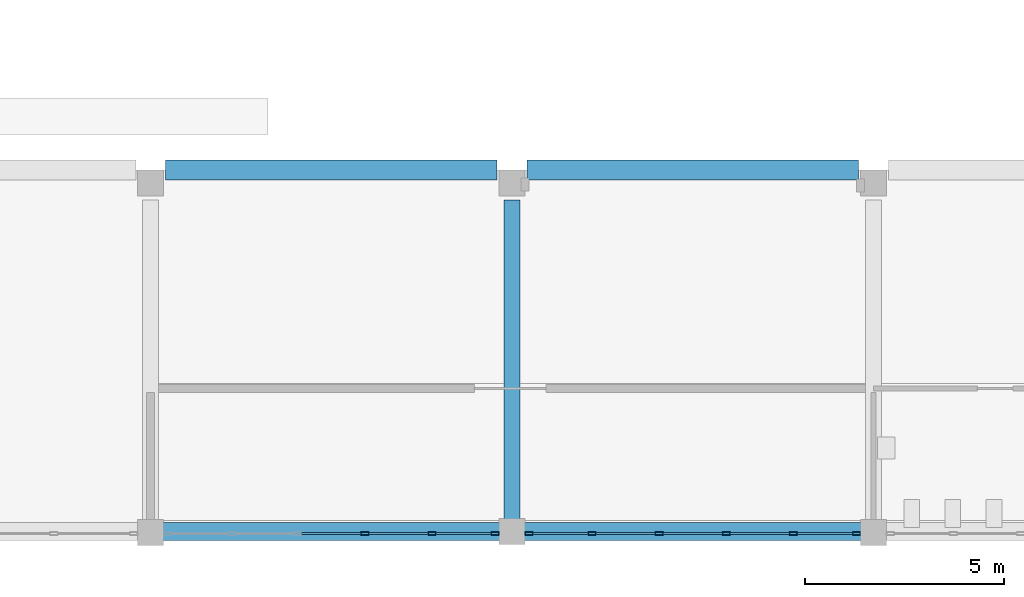
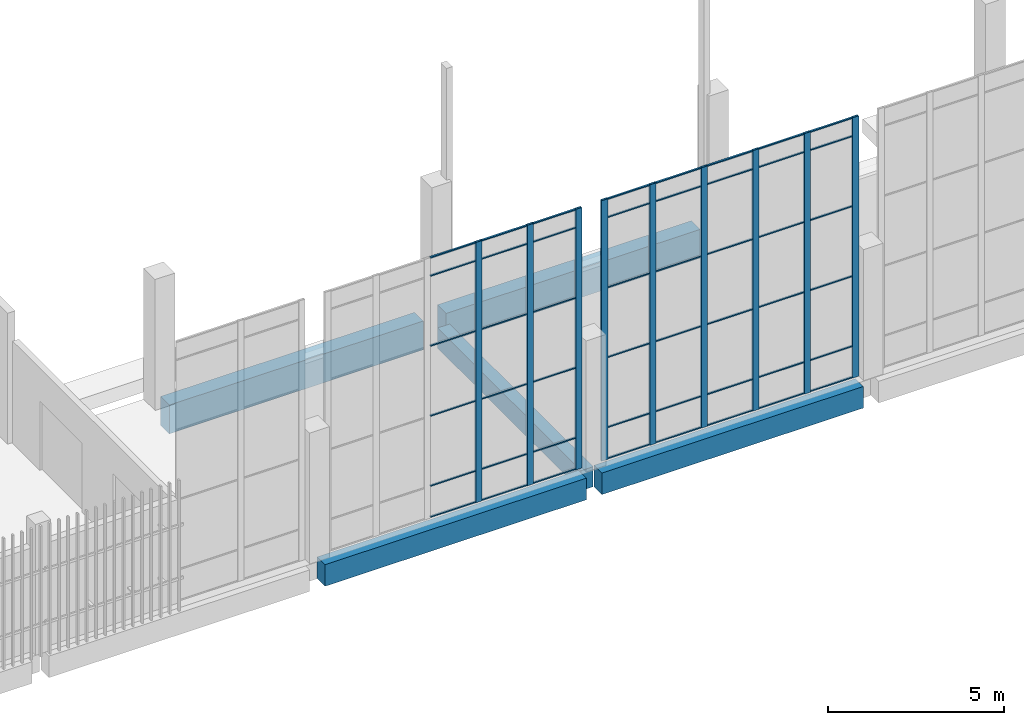
# One storey, part 5 of 91: 57 members, 5 beams, 2 elements without a shape of their own.
"""IFC4 building model written with IfcOpenShell, lengths in metres."""

from ifc_helpers import new_model, si_unit, direction, frame, origin, origin_2d, place, context, subcontext, project, spatial, rectangle, hollow_rectangle, extrude, material, layer, layer_set, material_profile, profile_set, type_object, element, aggregate, save


model = new_model("IFC4")

# Units and contexts
model_context = context("Model", 3, precision=1e-05, world=origin(), true_north=direction((0.0, 1.0)))
body_context = subcontext(model_context, "Body", "Model", "MODEL_VIEW")
ifc_project = project(units=[si_unit("LENGTHUNIT", "METRE"), si_unit("AREAUNIT", "SQUARE_METRE"), si_unit("VOLUMEUNIT", "CUBIC_METRE"), si_unit("PLANEANGLEUNIT", "RADIAN"), si_unit("MASSUNIT", "GRAM", prefix="KILO")], contexts=[model_context])

# Site, building, storey
site_placement = place(None, origin())
site = spatial("IfcSite", under=ifc_project, at=site_placement, CompositionType="ELEMENT")
building_placement = place(site_placement, origin())
building = spatial("IfcBuilding", under=site, at=building_placement, Name="Shirokan Park Arena", CompositionType="ELEMENT")
storey_placement = place(building_placement, frame((0.0, 0.0, 24.570068359375)))
storey = spatial("IfcBuildingStorey", under=building, at=storey_placement, Name="L05", CompositionType="ELEMENT", Elevation=24.570068359375)

# Curtain wall, members
ifc_material_1 = material(Name="Steel and glass curtain wall", Category="steel")
ifc_layer = layer(ifc_material_1, 0.199951171875)
ifc_layer_set = layer_set([ifc_layer], Name="Steel and glass curtain wall 200 mm")
curtain_wall_type = type_object("IfcCurtainWallType", Name="Curtain wall hall bay 200", PredefinedType="NOTDEFINED", material=ifc_layer_set)
curtain_wall_1_placement = place(storey_placement, origin())
curtain_wall_1 = element("IfcCurtainWall", 1, at=curtain_wall_1_placement, inside=storey, type_object=curtain_wall_type, Name="Curtain wall south bay 6 L05", PredefinedType="NOTDEFINED")
ifc_material_2 = material(Name="Steel S355", Category="steel")
ifc_material_profile_1 = material_profile(ifc_material_2, hollow_rectangle(XDim=0.080078125, YDim=0.199951171875, WallThickness=0.008056640625, at=origin_2d()), Name="RHS 200x80x8")
ifc_profile_set_1 = profile_set([ifc_material_profile_1], Name="Steel S355")
member_type_1 = type_object("IfcMemberType", Name="Mullion RHS 200x80x8", PredefinedType="MULLION", material=ifc_profile_set_1)
member_1_placement = place(storey_placement, frame((50.89501953125, -0.050048828125, 0.0), z_axis=(0.0, 0.0, 1.0), x_axis=(0.0, 1.0, 0.0)))
member_1 = element("IfcMember", 2, at=member_1_placement, type_object=member_type_1, Name="CW5 mullion 4", PredefinedType="MULLION", context=body_context, shape_type="SweptSolid", body=[
    extrude(hollow_rectangle(XDim=0.080078125, YDim=0.199951171875, WallThickness=0.008056640625, at=origin_2d()), origin(), (0.0, 0.0, 1.0), 9.050048828125),
])
member_2_placement = place(storey_placement, frame((52.5849609375, -0.050048828125, 0.0), z_axis=(0.0, 0.0, 1.0), x_axis=(0.0, 1.0, 0.0)))
member_2 = element("IfcMember", 3, at=member_2_placement, type_object=member_type_1, Name="CW5 mullion 5", PredefinedType="MULLION", context=body_context, shape_type="SweptSolid", body=[
    extrude(hollow_rectangle(XDim=0.080078125, YDim=0.199951171875, WallThickness=0.008056640625, at=origin_2d()), origin(), (0.0, 0.0, 1.0), 9.050048828125),
])
member_3_placement = place(storey_placement, frame((54.175048828125, -0.050048828125, 0.0), z_axis=(0.0, 0.0, 1.0), x_axis=(0.0, 1.0, 0.0)))
member_3 = element("IfcMember", 4, at=member_3_placement, type_object=member_type_1, Name="CW5 mullion 6", PredefinedType="MULLION", context=body_context, shape_type="SweptSolid", body=[
    extrude(hollow_rectangle(XDim=0.080078125, YDim=0.199951171875, WallThickness=0.008056640625, at=origin_2d()), origin(), (0.0, 0.0, 1.0), 9.050048828125),
])

curtain_wall_2_placement = place(storey_placement, origin())
curtain_wall_2 = element("IfcCurtainWall", 5, at=curtain_wall_2_placement, inside=storey, type_object=curtain_wall_type, Name="Curtain wall south bay 7 L05", PredefinedType="NOTDEFINED")
member_4_placement = place(storey_placement, frame((55.02490234375, -0.050048828125, 0.0), z_axis=(0.0, 0.0, 1.0), x_axis=(0.0, 1.0, 0.0)))
member_4 = element("IfcMember", 6, at=member_4_placement, type_object=member_type_1, Name="CW5 mullion 1", PredefinedType="MULLION", context=body_context, shape_type="SweptSolid", body=[
    extrude(hollow_rectangle(XDim=0.080078125, YDim=0.199951171875, WallThickness=0.008056640625, at=origin_2d()), origin(), (0.0, 0.0, 1.0), 9.050048828125),
])
member_5_placement = place(storey_placement, frame((56.614990234375, -0.050048828125, 0.0), z_axis=(0.0, 0.0, 1.0), x_axis=(0.0, 1.0, 0.0)))
member_5 = element("IfcMember", 7, at=member_5_placement, type_object=member_type_1, Name="CW5 mullion 2", PredefinedType="MULLION", context=body_context, shape_type="SweptSolid", body=[
    extrude(hollow_rectangle(XDim=0.080078125, YDim=0.199951171875, WallThickness=0.008056640625, at=origin_2d()), origin(), (0.0, 0.0, 1.0), 9.050048828125),
])
member_6_placement = place(storey_placement, frame((58.304931640625, -0.050048828125, 0.0), z_axis=(0.0, 0.0, 1.0), x_axis=(0.0, 1.0, 0.0)))
member_6 = element("IfcMember", 8, at=member_6_placement, type_object=member_type_1, Name="CW5 mullion 3", PredefinedType="MULLION", context=body_context, shape_type="SweptSolid", body=[
    extrude(hollow_rectangle(XDim=0.080078125, YDim=0.199951171875, WallThickness=0.008056640625, at=origin_2d()), origin(), (0.0, 0.0, 1.0), 9.050048828125),
])
member_7_placement = place(storey_placement, frame((59.9951171875, -0.050048828125, 0.0), z_axis=(0.0, 0.0, 1.0), x_axis=(0.0, 1.0, 0.0)))
member_7 = element("IfcMember", 9, at=member_7_placement, type_object=member_type_1, Name="CW5 mullion 4", PredefinedType="MULLION", context=body_context, shape_type="SweptSolid", body=[
    extrude(hollow_rectangle(XDim=0.080078125, YDim=0.199951171875, WallThickness=0.008056640625, at=origin_2d()), origin(), (0.0, 0.0, 1.0), 9.050048828125),
])
member_8_placement = place(storey_placement, frame((61.68505859375, -0.050048828125, 0.0), z_axis=(0.0, 0.0, 1.0), x_axis=(0.0, 1.0, 0.0)))
member_8 = element("IfcMember", 10, at=member_8_placement, type_object=member_type_1, Name="CW5 mullion 5", PredefinedType="MULLION", context=body_context, shape_type="SweptSolid", body=[
    extrude(hollow_rectangle(XDim=0.080078125, YDim=0.199951171875, WallThickness=0.008056640625, at=origin_2d()), origin(), (0.0, 0.0, 1.0), 9.050048828125),
])
member_9_placement = place(storey_placement, frame((63.27490234375, -0.050048828125, 0.0), z_axis=(0.0, 0.0, 1.0), x_axis=(0.0, 1.0, 0.0)))
member_9 = element("IfcMember", 11, at=member_9_placement, type_object=member_type_1, Name="CW5 mullion 6", PredefinedType="MULLION", context=body_context, shape_type="SweptSolid", body=[
    extrude(hollow_rectangle(XDim=0.080078125, YDim=0.199951171875, WallThickness=0.008056640625, at=origin_2d()), origin(), (0.0, 0.0, 1.0), 9.050048828125),
])

# Beams
ifc_material_3 = material(Name="Concrete C35", Category="concrete")
ifc_material_profile_2 = material_profile(ifc_material_3, rectangle(XDim=0.39990234375, YDim=0.699951171875, at=origin_2d()), Name="400x700")
ifc_profile_set_2 = profile_set([ifc_material_profile_2], Name="Concrete C35")
beam_type_1 = type_object("IfcBeamType", Name="RC girder 400x700", PredefinedType="BEAM", material=ifc_profile_set_2)
beam_placement = place(storey_placement, frame((54.60009765625, 0.175048828125, -0.650146484375), z_axis=(0.0, 1.0, 0.0), x_axis=(-1.0, 0.0, 0.0)))
element("IfcBeam", 12, at=beam_placement, inside=storey, type_object=beam_type_1, Name="Girder 7A-7B L05", PredefinedType="BEAM", context=body_context, shape_type="SweptSolid", body=[
    extrude(rectangle(XDim=0.39990234375, YDim=0.699951171875, at=origin_2d()), origin(), (0.0, 0.0, 1.0), 8.1748046875),
])
ifc_material_profile_3 = material_profile(ifc_material_3, rectangle(XDim=0.449951171875, YDim=0.75, at=origin_2d()), Name="450x750")
ifc_profile_set_3 = profile_set([ifc_material_profile_3], Name="Concrete C35")
beam_type_2 = type_object("IfcBeamType", Name="RC girder 450x750", PredefinedType="BEAM", material=ifc_profile_set_3)
for number, where, z_axis, x_axis, name in (
    (13, (45.75, 0.0, -0.675048828125), (1.0, 0.0, 0.0), (0.0, 1.0, 0.0), "Girder 6A-7A L05"),
    (14, (54.85009765625, 0.0, -0.675048828125), (1.0, 0.0, 0.0), (0.0, 1.0, 0.0), "Girder 7A-8A L05"),
):
    element("IfcBeam", number, at=place(storey_placement, frame(where, z_axis=z_axis, x_axis=x_axis)), inside=storey, type_object=beam_type_2, Name=name, PredefinedType="BEAM", context=body_context, shape_type="SweptSolid", body=[
        extrude(rectangle(XDim=0.449951171875, YDim=0.75, at=origin_2d()), origin(), (0.0, 0.0, 1.0), 8.599853515625),
    ])
ifc_material_profile_4 = material_profile(ifc_material_3, rectangle(XDim=0.5, YDim=1.0, at=origin_2d()), Name="500x1000")
ifc_profile_set_4 = profile_set([ifc_material_profile_4], Name="Concrete C35")
beam_type_3 = type_object("IfcBeamType", Name="RC girder 500x1000", PredefinedType="BEAM", material=ifc_profile_set_4)
for number, where, z_axis, x_axis, name in (
    (15, (45.875, 9.10009765625, -0.800048828125), (1.0, 0.0, 0.0), (0.0, 1.0, 0.0), "Girder 6B-7B L05"),
    (16, (54.97509765625, 9.10009765625, -0.800048828125), (1.0, 0.0, 0.0), (0.0, 1.0, 0.0), "Girder 7B-8B L05"),
):
    element("IfcBeam", number, at=place(storey_placement, frame(where, z_axis=z_axis, x_axis=x_axis)), inside=storey, type_object=beam_type_3, Name=name, PredefinedType="BEAM", context=body_context, shape_type="SweptSolid", body=[
        extrude(rectangle(XDim=0.5, YDim=1.0, at=origin_2d()), origin(), (0.0, 0.0, 1.0), 8.349853515625),
    ])

# Member
ifc_material_profile_5 = material_profile(ifc_material_2, hollow_rectangle(XDim=0.06005859375, YDim=0.0400390625, WallThickness=0.00390625, at=origin_2d()), Name="RHS 60x40x4")
ifc_profile_set_5 = profile_set([ifc_material_profile_5], Name="Steel S355")
member_type_2 = type_object("IfcMemberType", Name="Transom RHS 60x40x4", PredefinedType="MULLION", material=ifc_profile_set_5)
member_10_placement = place(storey_placement, frame((49.304931640625, -0.050048828125, 0.02001953125), z_axis=(1.0, 0.0, 0.0), x_axis=(0.0, 1.0, 0.0)))
member_10 = element("IfcMember", 17, at=member_10_placement, type_object=member_type_2, Name="CW5 transom 3.1", PredefinedType="MULLION", context=body_context, shape_type="SweptSolid", body=[
    extrude(hollow_rectangle(XDim=0.06005859375, YDim=0.0400390625, WallThickness=0.00390625, at=origin_2d()), origin(), (0.0, 0.0, 1.0), 1.489990234375),
])

member_11_placement = place(storey_placement, frame((49.304931640625, -0.050048828125, 1.099853515625), z_axis=(1.0, 0.0, 0.0), x_axis=(0.0, 1.0, 0.0)))
member_11 = element("IfcMember", 18, at=member_11_placement, type_object=member_type_2, Name="CW5 transom 3.2", PredefinedType="MULLION", context=body_context, shape_type="SweptSolid", body=[
    extrude(hollow_rectangle(XDim=0.06005859375, YDim=0.0400390625, WallThickness=0.00390625, at=origin_2d()), origin(), (0.0, 0.0, 1.0), 1.489990234375),
])

member_12_placement = place(storey_placement, frame((49.304931640625, -0.050048828125, 3.533203125), z_axis=(1.0, 0.0, 0.0), x_axis=(0.0, 1.0, 0.0)))
member_12 = element("IfcMember", 19, at=member_12_placement, type_object=member_type_2, Name="CW5 transom 3.3", PredefinedType="MULLION", context=body_context, shape_type="SweptSolid", body=[
    extrude(hollow_rectangle(XDim=0.06005859375, YDim=0.0400390625, WallThickness=0.00390625, at=origin_2d()), origin(), (0.0, 0.0, 1.0), 1.489990234375),
])

member_13_placement = place(storey_placement, frame((49.304931640625, -0.050048828125, 5.966552734375), z_axis=(1.0, 0.0, 0.0), x_axis=(0.0, 1.0, 0.0)))
member_13 = element("IfcMember", 20, at=member_13_placement, type_object=member_type_2, Name="CW5 transom 3.4", PredefinedType="MULLION", context=body_context, shape_type="SweptSolid", body=[
    extrude(hollow_rectangle(XDim=0.06005859375, YDim=0.0400390625, WallThickness=0.00390625, at=origin_2d()), origin(), (0.0, 0.0, 1.0), 1.489990234375),
])

member_14_placement = place(storey_placement, frame((49.304931640625, -0.050048828125, 8.39990234375), z_axis=(1.0, 0.0, 0.0), x_axis=(0.0, 1.0, 0.0)))
member_14 = element("IfcMember", 21, at=member_14_placement, type_object=member_type_2, Name="CW5 transom 3.5", PredefinedType="MULLION", context=body_context, shape_type="SweptSolid", body=[
    extrude(hollow_rectangle(XDim=0.06005859375, YDim=0.0400390625, WallThickness=0.00390625, at=origin_2d()), origin(), (0.0, 0.0, 1.0), 1.489990234375),
])

member_15_placement = place(storey_placement, frame((49.304931640625, -0.050048828125, 9.030029296875), z_axis=(1.0, 0.0, 0.0), x_axis=(0.0, 1.0, 0.0)))
member_15 = element("IfcMember", 22, at=member_15_placement, type_object=member_type_2, Name="CW5 transom 3.6", PredefinedType="MULLION", context=body_context, shape_type="SweptSolid", body=[
    extrude(hollow_rectangle(XDim=0.06005859375, YDim=0.0400390625, WallThickness=0.00390625, at=origin_2d()), origin(), (0.0, 0.0, 1.0), 1.489990234375),
])

member_16_placement = place(storey_placement, frame((50.9951171875, -0.050048828125, 0.02001953125), z_axis=(1.0, 0.0, 0.0), x_axis=(0.0, 1.0, 0.0)))
member_16 = element("IfcMember", 23, at=member_16_placement, type_object=member_type_2, Name="CW5 transom 4.1", PredefinedType="MULLION", context=body_context, shape_type="SweptSolid", body=[
    extrude(hollow_rectangle(XDim=0.06005859375, YDim=0.0400390625, WallThickness=0.00390625, at=origin_2d()), origin(), (0.0, 0.0, 1.0), 1.489990234375),
])

member_17_placement = place(storey_placement, frame((50.9951171875, -0.050048828125, 1.099853515625), z_axis=(1.0, 0.0, 0.0), x_axis=(0.0, 1.0, 0.0)))
member_17 = element("IfcMember", 24, at=member_17_placement, type_object=member_type_2, Name="CW5 transom 4.2", PredefinedType="MULLION", context=body_context, shape_type="SweptSolid", body=[
    extrude(hollow_rectangle(XDim=0.06005859375, YDim=0.0400390625, WallThickness=0.00390625, at=origin_2d()), origin(), (0.0, 0.0, 1.0), 1.489990234375),
])

member_18_placement = place(storey_placement, frame((50.9951171875, -0.050048828125, 3.533203125), z_axis=(1.0, 0.0, 0.0), x_axis=(0.0, 1.0, 0.0)))
member_18 = element("IfcMember", 25, at=member_18_placement, type_object=member_type_2, Name="CW5 transom 4.3", PredefinedType="MULLION", context=body_context, shape_type="SweptSolid", body=[
    extrude(hollow_rectangle(XDim=0.06005859375, YDim=0.0400390625, WallThickness=0.00390625, at=origin_2d()), origin(), (0.0, 0.0, 1.0), 1.489990234375),
])

member_19_placement = place(storey_placement, frame((50.9951171875, -0.050048828125, 5.966552734375), z_axis=(1.0, 0.0, 0.0), x_axis=(0.0, 1.0, 0.0)))
member_19 = element("IfcMember", 26, at=member_19_placement, type_object=member_type_2, Name="CW5 transom 4.4", PredefinedType="MULLION", context=body_context, shape_type="SweptSolid", body=[
    extrude(hollow_rectangle(XDim=0.06005859375, YDim=0.0400390625, WallThickness=0.00390625, at=origin_2d()), origin(), (0.0, 0.0, 1.0), 1.489990234375),
])

member_20_placement = place(storey_placement, frame((50.9951171875, -0.050048828125, 8.39990234375), z_axis=(1.0, 0.0, 0.0), x_axis=(0.0, 1.0, 0.0)))
member_20 = element("IfcMember", 27, at=member_20_placement, type_object=member_type_2, Name="CW5 transom 4.5", PredefinedType="MULLION", context=body_context, shape_type="SweptSolid", body=[
    extrude(hollow_rectangle(XDim=0.06005859375, YDim=0.0400390625, WallThickness=0.00390625, at=origin_2d()), origin(), (0.0, 0.0, 1.0), 1.489990234375),
])

member_21_placement = place(storey_placement, frame((50.9951171875, -0.050048828125, 9.030029296875), z_axis=(1.0, 0.0, 0.0), x_axis=(0.0, 1.0, 0.0)))
member_21 = element("IfcMember", 28, at=member_21_placement, type_object=member_type_2, Name="CW5 transom 4.6", PredefinedType="MULLION", context=body_context, shape_type="SweptSolid", body=[
    extrude(hollow_rectangle(XDim=0.06005859375, YDim=0.0400390625, WallThickness=0.00390625, at=origin_2d()), origin(), (0.0, 0.0, 1.0), 1.489990234375),
])

member_22_placement = place(storey_placement, frame((52.68505859375, -0.050048828125, 0.02001953125), z_axis=(1.0, 0.0, 0.0), x_axis=(0.0, 1.0, 0.0)))
member_22 = element("IfcMember", 29, at=member_22_placement, type_object=member_type_2, Name="CW5 transom 5.1", PredefinedType="MULLION", context=body_context, shape_type="SweptSolid", body=[
    extrude(hollow_rectangle(XDim=0.06005859375, YDim=0.0400390625, WallThickness=0.00390625, at=origin_2d()), origin(), (0.0, 0.0, 1.0), 1.389892578125),
])

member_23_placement = place(storey_placement, frame((52.68505859375, -0.050048828125, 1.099853515625), z_axis=(1.0, 0.0, 0.0), x_axis=(0.0, 1.0, 0.0)))
member_23 = element("IfcMember", 30, at=member_23_placement, type_object=member_type_2, Name="CW5 transom 5.2", PredefinedType="MULLION", context=body_context, shape_type="SweptSolid", body=[
    extrude(hollow_rectangle(XDim=0.06005859375, YDim=0.0400390625, WallThickness=0.00390625, at=origin_2d()), origin(), (0.0, 0.0, 1.0), 1.389892578125),
])

member_24_placement = place(storey_placement, frame((52.68505859375, -0.050048828125, 3.533203125), z_axis=(1.0, 0.0, 0.0), x_axis=(0.0, 1.0, 0.0)))
member_24 = element("IfcMember", 31, at=member_24_placement, type_object=member_type_2, Name="CW5 transom 5.3", PredefinedType="MULLION", context=body_context, shape_type="SweptSolid", body=[
    extrude(hollow_rectangle(XDim=0.06005859375, YDim=0.0400390625, WallThickness=0.00390625, at=origin_2d()), origin(), (0.0, 0.0, 1.0), 1.389892578125),
])

member_25_placement = place(storey_placement, frame((52.68505859375, -0.050048828125, 5.966552734375), z_axis=(1.0, 0.0, 0.0), x_axis=(0.0, 1.0, 0.0)))
member_25 = element("IfcMember", 32, at=member_25_placement, type_object=member_type_2, Name="CW5 transom 5.4", PredefinedType="MULLION", context=body_context, shape_type="SweptSolid", body=[
    extrude(hollow_rectangle(XDim=0.06005859375, YDim=0.0400390625, WallThickness=0.00390625, at=origin_2d()), origin(), (0.0, 0.0, 1.0), 1.389892578125),
])

member_26_placement = place(storey_placement, frame((52.68505859375, -0.050048828125, 8.39990234375), z_axis=(1.0, 0.0, 0.0), x_axis=(0.0, 1.0, 0.0)))
member_26 = element("IfcMember", 33, at=member_26_placement, type_object=member_type_2, Name="CW5 transom 5.5", PredefinedType="MULLION", context=body_context, shape_type="SweptSolid", body=[
    extrude(hollow_rectangle(XDim=0.06005859375, YDim=0.0400390625, WallThickness=0.00390625, at=origin_2d()), origin(), (0.0, 0.0, 1.0), 1.389892578125),
])

member_27_placement = place(storey_placement, frame((52.68505859375, -0.050048828125, 9.030029296875), z_axis=(1.0, 0.0, 0.0), x_axis=(0.0, 1.0, 0.0)))
member_27 = element("IfcMember", 34, at=member_27_placement, type_object=member_type_2, Name="CW5 transom 5.6", PredefinedType="MULLION", context=body_context, shape_type="SweptSolid", body=[
    extrude(hollow_rectangle(XDim=0.06005859375, YDim=0.0400390625, WallThickness=0.00390625, at=origin_2d()), origin(), (0.0, 0.0, 1.0), 1.389892578125),
])

aggregate(curtain_wall_1, [member_1, member_2, member_3, member_10, member_11, member_12, member_13, member_14, member_15, member_16, member_17, member_18, member_19, member_20, member_21, member_22, member_23, member_24, member_25, member_26, member_27])

member_28_placement = place(storey_placement, frame((55.125, -0.050048828125, 0.02001953125), z_axis=(1.0, 0.0, 0.0), x_axis=(0.0, 1.0, 0.0)))
member_28 = element("IfcMember", 35, at=member_28_placement, type_object=member_type_2, Name="CW5 transom 1.1", PredefinedType="MULLION", context=body_context, shape_type="SweptSolid", body=[
    extrude(hollow_rectangle(XDim=0.06005859375, YDim=0.0400390625, WallThickness=0.00390625, at=origin_2d()), origin(), (0.0, 0.0, 1.0), 1.389892578125),
])

member_29_placement = place(storey_placement, frame((55.125, -0.050048828125, 1.099853515625), z_axis=(1.0, 0.0, 0.0), x_axis=(0.0, 1.0, 0.0)))
member_29 = element("IfcMember", 36, at=member_29_placement, type_object=member_type_2, Name="CW5 transom 1.2", PredefinedType="MULLION", context=body_context, shape_type="SweptSolid", body=[
    extrude(hollow_rectangle(XDim=0.06005859375, YDim=0.0400390625, WallThickness=0.00390625, at=origin_2d()), origin(), (0.0, 0.0, 1.0), 1.389892578125),
])

member_30_placement = place(storey_placement, frame((55.125, -0.050048828125, 3.533203125), z_axis=(1.0, 0.0, 0.0), x_axis=(0.0, 1.0, 0.0)))
member_30 = element("IfcMember", 37, at=member_30_placement, type_object=member_type_2, Name="CW5 transom 1.3", PredefinedType="MULLION", context=body_context, shape_type="SweptSolid", body=[
    extrude(hollow_rectangle(XDim=0.06005859375, YDim=0.0400390625, WallThickness=0.00390625, at=origin_2d()), origin(), (0.0, 0.0, 1.0), 1.389892578125),
])

member_31_placement = place(storey_placement, frame((55.125, -0.050048828125, 5.966552734375), z_axis=(1.0, 0.0, 0.0), x_axis=(0.0, 1.0, 0.0)))
member_31 = element("IfcMember", 38, at=member_31_placement, type_object=member_type_2, Name="CW5 transom 1.4", PredefinedType="MULLION", context=body_context, shape_type="SweptSolid", body=[
    extrude(hollow_rectangle(XDim=0.06005859375, YDim=0.0400390625, WallThickness=0.00390625, at=origin_2d()), origin(), (0.0, 0.0, 1.0), 1.389892578125),
])

member_32_placement = place(storey_placement, frame((55.125, -0.050048828125, 8.39990234375), z_axis=(1.0, 0.0, 0.0), x_axis=(0.0, 1.0, 0.0)))
member_32 = element("IfcMember", 39, at=member_32_placement, type_object=member_type_2, Name="CW5 transom 1.5", PredefinedType="MULLION", context=body_context, shape_type="SweptSolid", body=[
    extrude(hollow_rectangle(XDim=0.06005859375, YDim=0.0400390625, WallThickness=0.00390625, at=origin_2d()), origin(), (0.0, 0.0, 1.0), 1.389892578125),
])

member_33_placement = place(storey_placement, frame((55.125, -0.050048828125, 9.030029296875), z_axis=(1.0, 0.0, 0.0), x_axis=(0.0, 1.0, 0.0)))
member_33 = element("IfcMember", 40, at=member_33_placement, type_object=member_type_2, Name="CW5 transom 1.6", PredefinedType="MULLION", context=body_context, shape_type="SweptSolid", body=[
    extrude(hollow_rectangle(XDim=0.06005859375, YDim=0.0400390625, WallThickness=0.00390625, at=origin_2d()), origin(), (0.0, 0.0, 1.0), 1.389892578125),
])

member_34_placement = place(storey_placement, frame((56.715087890625, -0.050048828125, 0.02001953125), z_axis=(1.0, 0.0, 0.0), x_axis=(0.0, 1.0, 0.0)))
member_34 = element("IfcMember", 41, at=member_34_placement, type_object=member_type_2, Name="CW5 transom 2.1", PredefinedType="MULLION", context=body_context, shape_type="SweptSolid", body=[
    extrude(hollow_rectangle(XDim=0.06005859375, YDim=0.0400390625, WallThickness=0.00390625, at=origin_2d()), origin(), (0.0, 0.0, 1.0), 1.489990234375),
])

member_35_placement = place(storey_placement, frame((56.715087890625, -0.050048828125, 1.099853515625), z_axis=(1.0, 0.0, 0.0), x_axis=(0.0, 1.0, 0.0)))
member_35 = element("IfcMember", 42, at=member_35_placement, type_object=member_type_2, Name="CW5 transom 2.2", PredefinedType="MULLION", context=body_context, shape_type="SweptSolid", body=[
    extrude(hollow_rectangle(XDim=0.06005859375, YDim=0.0400390625, WallThickness=0.00390625, at=origin_2d()), origin(), (0.0, 0.0, 1.0), 1.489990234375),
])

member_36_placement = place(storey_placement, frame((56.715087890625, -0.050048828125, 3.533203125), z_axis=(1.0, 0.0, 0.0), x_axis=(0.0, 1.0, 0.0)))
member_36 = element("IfcMember", 43, at=member_36_placement, type_object=member_type_2, Name="CW5 transom 2.3", PredefinedType="MULLION", context=body_context, shape_type="SweptSolid", body=[
    extrude(hollow_rectangle(XDim=0.06005859375, YDim=0.0400390625, WallThickness=0.00390625, at=origin_2d()), origin(), (0.0, 0.0, 1.0), 1.489990234375),
])

member_37_placement = place(storey_placement, frame((56.715087890625, -0.050048828125, 5.966552734375), z_axis=(1.0, 0.0, 0.0), x_axis=(0.0, 1.0, 0.0)))
member_37 = element("IfcMember", 44, at=member_37_placement, type_object=member_type_2, Name="CW5 transom 2.4", PredefinedType="MULLION", context=body_context, shape_type="SweptSolid", body=[
    extrude(hollow_rectangle(XDim=0.06005859375, YDim=0.0400390625, WallThickness=0.00390625, at=origin_2d()), origin(), (0.0, 0.0, 1.0), 1.489990234375),
])

member_38_placement = place(storey_placement, frame((56.715087890625, -0.050048828125, 8.39990234375), z_axis=(1.0, 0.0, 0.0), x_axis=(0.0, 1.0, 0.0)))
member_38 = element("IfcMember", 45, at=member_38_placement, type_object=member_type_2, Name="CW5 transom 2.5", PredefinedType="MULLION", context=body_context, shape_type="SweptSolid", body=[
    extrude(hollow_rectangle(XDim=0.06005859375, YDim=0.0400390625, WallThickness=0.00390625, at=origin_2d()), origin(), (0.0, 0.0, 1.0), 1.489990234375),
])

member_39_placement = place(storey_placement, frame((56.715087890625, -0.050048828125, 9.030029296875), z_axis=(1.0, 0.0, 0.0), x_axis=(0.0, 1.0, 0.0)))
member_39 = element("IfcMember", 46, at=member_39_placement, type_object=member_type_2, Name="CW5 transom 2.6", PredefinedType="MULLION", context=body_context, shape_type="SweptSolid", body=[
    extrude(hollow_rectangle(XDim=0.06005859375, YDim=0.0400390625, WallThickness=0.00390625, at=origin_2d()), origin(), (0.0, 0.0, 1.0), 1.489990234375),
])

member_40_placement = place(storey_placement, frame((58.405029296875, -0.050048828125, 0.02001953125), z_axis=(1.0, 0.0, 0.0), x_axis=(0.0, 1.0, 0.0)))
member_40 = element("IfcMember", 47, at=member_40_placement, type_object=member_type_2, Name="CW5 transom 3.1", PredefinedType="MULLION", context=body_context, shape_type="SweptSolid", body=[
    extrude(hollow_rectangle(XDim=0.06005859375, YDim=0.0400390625, WallThickness=0.00390625, at=origin_2d()), origin(), (0.0, 0.0, 1.0), 1.489990234375),
])

member_41_placement = place(storey_placement, frame((58.405029296875, -0.050048828125, 1.099853515625), z_axis=(1.0, 0.0, 0.0), x_axis=(0.0, 1.0, 0.0)))
member_41 = element("IfcMember", 48, at=member_41_placement, type_object=member_type_2, Name="CW5 transom 3.2", PredefinedType="MULLION", context=body_context, shape_type="SweptSolid", body=[
    extrude(hollow_rectangle(XDim=0.06005859375, YDim=0.0400390625, WallThickness=0.00390625, at=origin_2d()), origin(), (0.0, 0.0, 1.0), 1.489990234375),
])

member_42_placement = place(storey_placement, frame((58.405029296875, -0.050048828125, 3.533203125), z_axis=(1.0, 0.0, 0.0), x_axis=(0.0, 1.0, 0.0)))
member_42 = element("IfcMember", 49, at=member_42_placement, type_object=member_type_2, Name="CW5 transom 3.3", PredefinedType="MULLION", context=body_context, shape_type="SweptSolid", body=[
    extrude(hollow_rectangle(XDim=0.06005859375, YDim=0.0400390625, WallThickness=0.00390625, at=origin_2d()), origin(), (0.0, 0.0, 1.0), 1.489990234375),
])

member_43_placement = place(storey_placement, frame((58.405029296875, -0.050048828125, 5.966552734375), z_axis=(1.0, 0.0, 0.0), x_axis=(0.0, 1.0, 0.0)))
member_43 = element("IfcMember", 50, at=member_43_placement, type_object=member_type_2, Name="CW5 transom 3.4", PredefinedType="MULLION", context=body_context, shape_type="SweptSolid", body=[
    extrude(hollow_rectangle(XDim=0.06005859375, YDim=0.0400390625, WallThickness=0.00390625, at=origin_2d()), origin(), (0.0, 0.0, 1.0), 1.489990234375),
])

member_44_placement = place(storey_placement, frame((58.405029296875, -0.050048828125, 8.39990234375), z_axis=(1.0, 0.0, 0.0), x_axis=(0.0, 1.0, 0.0)))
member_44 = element("IfcMember", 51, at=member_44_placement, type_object=member_type_2, Name="CW5 transom 3.5", PredefinedType="MULLION", context=body_context, shape_type="SweptSolid", body=[
    extrude(hollow_rectangle(XDim=0.06005859375, YDim=0.0400390625, WallThickness=0.00390625, at=origin_2d()), origin(), (0.0, 0.0, 1.0), 1.489990234375),
])

member_45_placement = place(storey_placement, frame((58.405029296875, -0.050048828125, 9.030029296875), z_axis=(1.0, 0.0, 0.0), x_axis=(0.0, 1.0, 0.0)))
member_45 = element("IfcMember", 52, at=member_45_placement, type_object=member_type_2, Name="CW5 transom 3.6", PredefinedType="MULLION", context=body_context, shape_type="SweptSolid", body=[
    extrude(hollow_rectangle(XDim=0.06005859375, YDim=0.0400390625, WallThickness=0.00390625, at=origin_2d()), origin(), (0.0, 0.0, 1.0), 1.489990234375),
])

member_46_placement = place(storey_placement, frame((60.094970703125, -0.050048828125, 0.02001953125), z_axis=(1.0, 0.0, 0.0), x_axis=(0.0, 1.0, 0.0)))
member_46 = element("IfcMember", 53, at=member_46_placement, type_object=member_type_2, Name="CW5 transom 4.1", PredefinedType="MULLION", context=body_context, shape_type="SweptSolid", body=[
    extrude(hollow_rectangle(XDim=0.06005859375, YDim=0.0400390625, WallThickness=0.00390625, at=origin_2d()), origin(), (0.0, 0.0, 1.0), 1.489990234375),
])

member_47_placement = place(storey_placement, frame((60.094970703125, -0.050048828125, 1.099853515625), z_axis=(1.0, 0.0, 0.0), x_axis=(0.0, 1.0, 0.0)))
member_47 = element("IfcMember", 54, at=member_47_placement, type_object=member_type_2, Name="CW5 transom 4.2", PredefinedType="MULLION", context=body_context, shape_type="SweptSolid", body=[
    extrude(hollow_rectangle(XDim=0.06005859375, YDim=0.0400390625, WallThickness=0.00390625, at=origin_2d()), origin(), (0.0, 0.0, 1.0), 1.489990234375),
])

member_48_placement = place(storey_placement, frame((60.094970703125, -0.050048828125, 3.533203125), z_axis=(1.0, 0.0, 0.0), x_axis=(0.0, 1.0, 0.0)))
member_48 = element("IfcMember", 55, at=member_48_placement, type_object=member_type_2, Name="CW5 transom 4.3", PredefinedType="MULLION", context=body_context, shape_type="SweptSolid", body=[
    extrude(hollow_rectangle(XDim=0.06005859375, YDim=0.0400390625, WallThickness=0.00390625, at=origin_2d()), origin(), (0.0, 0.0, 1.0), 1.489990234375),
])

member_49_placement = place(storey_placement, frame((60.094970703125, -0.050048828125, 5.966552734375), z_axis=(1.0, 0.0, 0.0), x_axis=(0.0, 1.0, 0.0)))
member_49 = element("IfcMember", 56, at=member_49_placement, type_object=member_type_2, Name="CW5 transom 4.4", PredefinedType="MULLION", context=body_context, shape_type="SweptSolid", body=[
    extrude(hollow_rectangle(XDim=0.06005859375, YDim=0.0400390625, WallThickness=0.00390625, at=origin_2d()), origin(), (0.0, 0.0, 1.0), 1.489990234375),
])

member_50_placement = place(storey_placement, frame((60.094970703125, -0.050048828125, 8.39990234375), z_axis=(1.0, 0.0, 0.0), x_axis=(0.0, 1.0, 0.0)))
member_50 = element("IfcMember", 57, at=member_50_placement, type_object=member_type_2, Name="CW5 transom 4.5", PredefinedType="MULLION", context=body_context, shape_type="SweptSolid", body=[
    extrude(hollow_rectangle(XDim=0.06005859375, YDim=0.0400390625, WallThickness=0.00390625, at=origin_2d()), origin(), (0.0, 0.0, 1.0), 1.489990234375),
])

member_51_placement = place(storey_placement, frame((60.094970703125, -0.050048828125, 9.030029296875), z_axis=(1.0, 0.0, 0.0), x_axis=(0.0, 1.0, 0.0)))
member_51 = element("IfcMember", 58, at=member_51_placement, type_object=member_type_2, Name="CW5 transom 4.6", PredefinedType="MULLION", context=body_context, shape_type="SweptSolid", body=[
    extrude(hollow_rectangle(XDim=0.06005859375, YDim=0.0400390625, WallThickness=0.00390625, at=origin_2d()), origin(), (0.0, 0.0, 1.0), 1.489990234375),
])

member_52_placement = place(storey_placement, frame((61.784912109375, -0.050048828125, 0.02001953125), z_axis=(1.0, 0.0, 0.0), x_axis=(0.0, 1.0, 0.0)))
member_52 = element("IfcMember", 59, at=member_52_placement, type_object=member_type_2, Name="CW5 transom 5.1", PredefinedType="MULLION", context=body_context, shape_type="SweptSolid", body=[
    extrude(hollow_rectangle(XDim=0.06005859375, YDim=0.0400390625, WallThickness=0.00390625, at=origin_2d()), origin(), (0.0, 0.0, 1.0), 1.39013671875),
])

member_53_placement = place(storey_placement, frame((61.784912109375, -0.050048828125, 1.099853515625), z_axis=(1.0, 0.0, 0.0), x_axis=(0.0, 1.0, 0.0)))
member_53 = element("IfcMember", 60, at=member_53_placement, type_object=member_type_2, Name="CW5 transom 5.2", PredefinedType="MULLION", context=body_context, shape_type="SweptSolid", body=[
    extrude(hollow_rectangle(XDim=0.06005859375, YDim=0.0400390625, WallThickness=0.00390625, at=origin_2d()), origin(), (0.0, 0.0, 1.0), 1.39013671875),
])

member_54_placement = place(storey_placement, frame((61.784912109375, -0.050048828125, 3.533203125), z_axis=(1.0, 0.0, 0.0), x_axis=(0.0, 1.0, 0.0)))
member_54 = element("IfcMember", 61, at=member_54_placement, type_object=member_type_2, Name="CW5 transom 5.3", PredefinedType="MULLION", context=body_context, shape_type="SweptSolid", body=[
    extrude(hollow_rectangle(XDim=0.06005859375, YDim=0.0400390625, WallThickness=0.00390625, at=origin_2d()), origin(), (0.0, 0.0, 1.0), 1.39013671875),
])

member_55_placement = place(storey_placement, frame((61.784912109375, -0.050048828125, 5.966552734375), z_axis=(1.0, 0.0, 0.0), x_axis=(0.0, 1.0, 0.0)))
member_55 = element("IfcMember", 62, at=member_55_placement, type_object=member_type_2, Name="CW5 transom 5.4", PredefinedType="MULLION", context=body_context, shape_type="SweptSolid", body=[
    extrude(hollow_rectangle(XDim=0.06005859375, YDim=0.0400390625, WallThickness=0.00390625, at=origin_2d()), origin(), (0.0, 0.0, 1.0), 1.39013671875),
])

member_56_placement = place(storey_placement, frame((61.784912109375, -0.050048828125, 8.39990234375), z_axis=(1.0, 0.0, 0.0), x_axis=(0.0, 1.0, 0.0)))
member_56 = element("IfcMember", 63, at=member_56_placement, type_object=member_type_2, Name="CW5 transom 5.5", PredefinedType="MULLION", context=body_context, shape_type="SweptSolid", body=[
    extrude(hollow_rectangle(XDim=0.06005859375, YDim=0.0400390625, WallThickness=0.00390625, at=origin_2d()), origin(), (0.0, 0.0, 1.0), 1.39013671875),
])

member_57_placement = place(storey_placement, frame((61.784912109375, -0.050048828125, 9.030029296875), z_axis=(1.0, 0.0, 0.0), x_axis=(0.0, 1.0, 0.0)))
member_57 = element("IfcMember", 64, at=member_57_placement, type_object=member_type_2, Name="CW5 transom 5.6", PredefinedType="MULLION", context=body_context, shape_type="SweptSolid", body=[
    extrude(hollow_rectangle(XDim=0.06005859375, YDim=0.0400390625, WallThickness=0.00390625, at=origin_2d()), origin(), (0.0, 0.0, 1.0), 1.39013671875),
])

aggregate(curtain_wall_2, [member_4, member_5, member_6, member_7, member_8, member_9, member_28, member_29, member_30, member_31, member_32, member_33, member_34, member_35, member_36, member_37, member_38, member_39, member_40, member_41, member_42, member_43, member_44, member_45, member_46, member_47, member_48, member_49, member_50, member_51, member_52, member_53, member_54, member_55, member_56, member_57])

save(model, "model.ifc")
